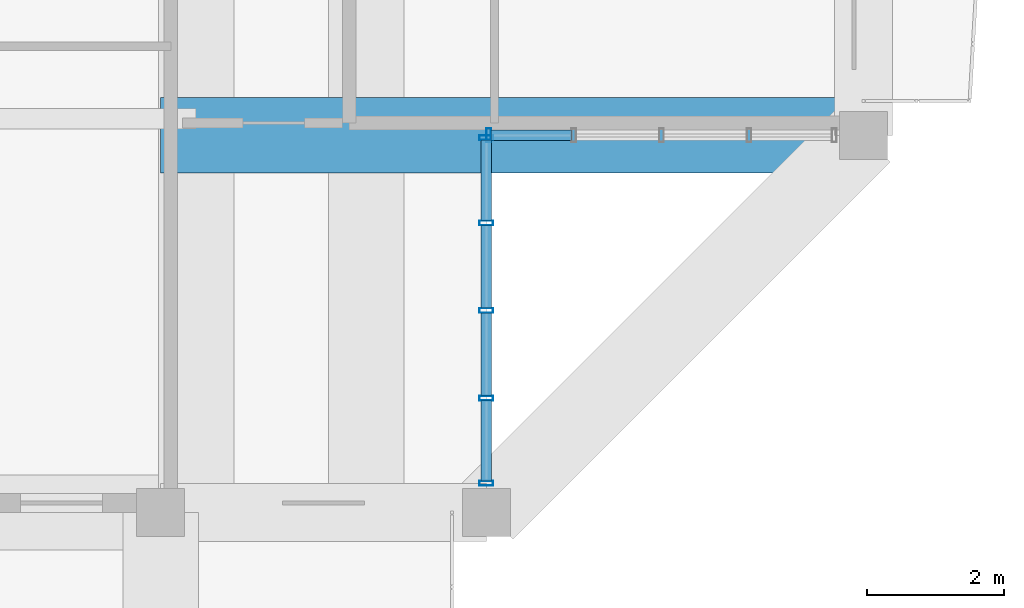
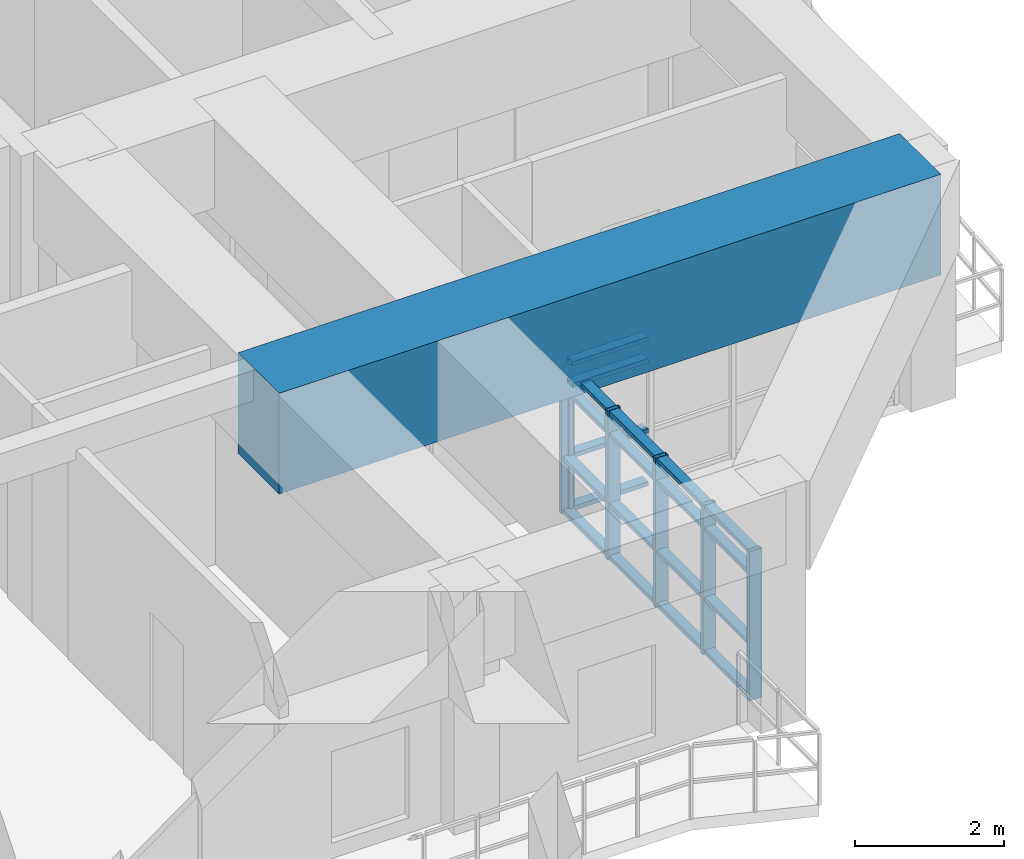
# One storey, part 4 of 27: 26 members, 1 beam, 2 elements without a shape of their own.
"""IFC4 building model written with IfcOpenShell, lengths in metres."""

from ifc_helpers import new_model, si_unit, direction, frame, origin, origin_2d, place, context, subcontext, project, spatial, rectangle, hollow_rectangle, extrude, source, transform, mapped, material, layer, layer_set, material_profile, profile_set, type_object, element, aggregate, save


model = new_model("IFC4")

# Units and contexts
model_context = context("Model", 3, precision=1e-05, world=origin(), true_north=direction((0.0, 1.0)))
body_context = subcontext(model_context, "Body", "Model", "MODEL_VIEW")
ifc_project = project(units=[si_unit("LENGTHUNIT", "METRE"), si_unit("AREAUNIT", "SQUARE_METRE"), si_unit("VOLUMEUNIT", "CUBIC_METRE"), si_unit("PLANEANGLEUNIT", "RADIAN"), si_unit("MASSUNIT", "GRAM", prefix="KILO")], contexts=[model_context])

# Site, building, storey
site_placement = place(None, origin())
site = spatial("IfcSite", under=ifc_project, at=site_placement, CompositionType="ELEMENT")
building_placement = place(site_placement, origin())
building = spatial("IfcBuilding", under=site, at=building_placement, Name="Saelheon Loggia Tower", CompositionType="ELEMENT")
storey_placement = place(building_placement, frame((0.0, 0.0, 236.10009765625)))
storey = spatial("IfcBuildingStorey", under=building, at=storey_placement, Name="L73", CompositionType="ELEMENT", Elevation=236.10009765625)

# Beam
ifc_material_1 = material(Name="Concrete C50/60", Category="concrete")
ifc_material_profile_1 = material_profile(ifc_material_1, rectangle(XDim=1.10009765625, YDim=1.64990234375, at=origin_2d()), Name="RC-1100x1650")
ifc_profile_set_1 = profile_set([ifc_material_profile_1], Name="Concrete C50/60")
beam_type = type_object("IfcBeamType", Name="Beam_MegaTransfer_RC1100x1650", PredefinedType="BEAM", material=ifc_profile_set_1)
shared_shape_1 = source(origin(), body_context, "Body", "SweptSolid", [
    extrude(rectangle(XDim=1.10009765625, YDim=1.64990234375, at=origin_2d()), origin(), (0.0, 0.0, 1.0), 10.25),
])
beam_placement = place(storey_placement, frame((44.5, 11.5, 3.074951171875), z_axis=(1.0, 0.0, 0.0), x_axis=(0.0, 1.0, 0.0)))
element("IfcBeam", 1, at=beam_placement, inside=storey, type_object=beam_type, Name="TG-L73-SH-SE", PredefinedType="BEAM", context=body_context, shape_type="MappedRepresentation", body=[
    mapped(shared_shape_1, transform((0.0, 0.0, 0.0), scale=1.0)),
])

# Curtain wall, members
ifc_material_2 = material(Name="High-Wind Aluminium and Triple Laminated Glass", Category="aluminium")
ifc_layer = layer(ifc_material_2, 0.179931640625)
ifc_layer_set = layer_set([ifc_layer], Name="High-Wind Aluminium and Triple Laminated Glass")
curtain_wall_type = type_object("IfcCurtainWallType", Name="CW_TowerLoggiaHigh", PredefinedType="NOTDEFINED", material=ifc_layer_set)
curtain_wall_1_placement = place(storey_placement, origin())
curtain_wall_1 = element("IfcCurtainWall", 2, at=curtain_wall_1_placement, inside=storey, type_object=curtain_wall_type, Name="L73 Corner Notch Glazing SE1", PredefinedType="NOTDEFINED")
ifc_material_3 = material(Name="Anodised Aluminium 6063-T6", Category="aluminium")
ifc_material_profile_2 = material_profile(ifc_material_3, hollow_rectangle(XDim=0.070068359375, YDim=0.199951171875, WallThickness=0.0048828125, at=origin_2d()), Name="RHS-200x70x5")
ifc_profile_set_2 = profile_set([ifc_material_profile_2], Name="Anodised Aluminium 6063-T6")
member_type_1 = type_object("IfcMemberType", Name="CW_TowerLoggiaHigh_Mullion", PredefinedType="MULLION", material=ifc_profile_set_2)
shared_shape_2 = source(origin(), body_context, "Body", "SweptSolid", [
    extrude(hollow_rectangle(XDim=0.070068359375, YDim=0.199951171875, WallThickness=0.0048828125, at=origin_2d()), origin(), (0.0, 0.0, 1.0), 2.43994140625),
])
member_1_placement = place(storey_placement, frame((49.25, 6.425048828125, 0.0), z_axis=(0.0, 0.0, 1.0), x_axis=(0.0, 1.0, 0.0)))
member_1 = element("IfcMember", 3, at=member_1_placement, type_object=member_type_1, Name="CW4 mullion 1", PredefinedType="MULLION", context=body_context, shape_type="MappedRepresentation", body=[
    mapped(shared_shape_2, transform((0.0, 0.0, 0.0), scale=1.0)),
])
member_2_placement = place(storey_placement, frame((49.25, 7.66748046875, 0.0), z_axis=(0.0, 0.0, 1.0), x_axis=(0.0, 1.0, 0.0)))
member_2 = element("IfcMember", 4, at=member_2_placement, type_object=member_type_1, Name="CW4 mullion 2", PredefinedType="MULLION", context=body_context, shape_type="MappedRepresentation", body=[
    mapped(shared_shape_2, transform((0.0, 0.0, 0.0), scale=1.0)),
])
member_3_placement = place(storey_placement, frame((49.25, 8.945068359375, 0.0), z_axis=(0.0, 0.0, 1.0), x_axis=(0.0, 1.0, 0.0)))
member_3 = element("IfcMember", 5, at=member_3_placement, type_object=member_type_1, Name="CW4 mullion 3", PredefinedType="MULLION", context=body_context, shape_type="MappedRepresentation", body=[
    mapped(shared_shape_2, transform((0.0, 0.0, 0.0), scale=1.0)),
])
member_4_placement = place(storey_placement, frame((49.25, 10.222412109375, 0.0), z_axis=(0.0, 0.0, 1.0), x_axis=(0.0, 1.0, 0.0)))
member_4 = element("IfcMember", 6, at=member_4_placement, type_object=member_type_1, Name="CW4 mullion 4", PredefinedType="MULLION", context=body_context, shape_type="MappedRepresentation", body=[
    mapped(shared_shape_2, transform((0.0, 0.0, 0.0), scale=1.0)),
])
member_5_placement = place(storey_placement, frame((49.25, 11.465087890625, 0.0), z_axis=(0.0, 0.0, 1.0), x_axis=(0.0, 1.0, 0.0)))
member_5 = element("IfcMember", 7, at=member_5_placement, type_object=member_type_1, Name="CW4 mullion 5", PredefinedType="MULLION", context=body_context, shape_type="MappedRepresentation", body=[
    mapped(shared_shape_2, transform((0.0, 0.0, 0.0), scale=1.0)),
])

# Curtain wall, member
curtain_wall_2_placement = place(storey_placement, origin())
curtain_wall_2 = element("IfcCurtainWall", 8, at=curtain_wall_2_placement, inside=storey, type_object=curtain_wall_type, Name="L73 Corner Notch Glazing SE2", PredefinedType="NOTDEFINED")
member_6_placement = place(storey_placement, frame((49.284912109375, 11.5, 0.0), z_axis=(0.0, 0.0, 1.0), x_axis=(1.0, 0.0, 0.0)))
member_6 = element("IfcMember", 9, at=member_6_placement, type_object=member_type_1, Name="CW4 mullion 1", PredefinedType="MULLION", context=body_context, shape_type="MappedRepresentation", body=[
    mapped(shared_shape_2, transform((0.0, 0.0, 0.0), scale=1.0)),
])

# Member
ifc_material_profile_3 = material_profile(ifc_material_3, hollow_rectangle(XDim=0.070068359375, YDim=0.14990234375, WallThickness=0.0048828125, at=origin_2d()), Name="RHS-150x70x5")
ifc_profile_set_3 = profile_set([ifc_material_profile_3], Name="Anodised Aluminium 6063-T6")
member_type_2 = type_object("IfcMemberType", Name="CW_TowerLoggiaHigh_Transom", PredefinedType="USERDEFINED", material=ifc_profile_set_3)
shared_shape_3 = source(origin(), body_context, "Body", "SweptSolid", [
    extrude(hollow_rectangle(XDim=0.070068359375, YDim=0.14990234375, WallThickness=0.0048828125, at=origin_2d()), origin(), (0.0, 0.0, 1.0), 1.172607421875),
])
member_7_placement = place(storey_placement, frame((49.25, 6.4599609375, 0.034912109375), z_axis=(0.0, 1.0, 0.0), x_axis=(0.0, 0.0, 1.0)))
member_7 = element("IfcMember", 10, at=member_7_placement, type_object=member_type_2, Name="CW4 transom 1.1", ObjectType="TRANSOM", PredefinedType="USERDEFINED", context=body_context, shape_type="MappedRepresentation", body=[
    mapped(shared_shape_3, transform((0.0, 0.0, 0.0), scale=1.0)),
])

member_8_placement = place(storey_placement, frame((49.25, 6.4599609375, 0.89990234375), z_axis=(0.0, 1.0, 0.0), x_axis=(0.0, 0.0, 1.0)))
member_8 = element("IfcMember", 11, at=member_8_placement, type_object=member_type_2, Name="CW4 transom 1.2", ObjectType="TRANSOM", PredefinedType="USERDEFINED", context=body_context, shape_type="MappedRepresentation", body=[
    mapped(shared_shape_3, transform((0.0, 0.0, 0.0), scale=1.0)),
])

member_9_placement = place(storey_placement, frame((49.25, 6.4599609375, 2.0498046875), z_axis=(0.0, 1.0, 0.0), x_axis=(0.0, 0.0, 1.0)))
member_9 = element("IfcMember", 12, at=member_9_placement, type_object=member_type_2, Name="CW4 transom 1.3", ObjectType="TRANSOM", PredefinedType="USERDEFINED", context=body_context, shape_type="MappedRepresentation", body=[
    mapped(shared_shape_3, transform((0.0, 0.0, 0.0), scale=1.0)),
])

member_10_placement = place(storey_placement, frame((49.25, 6.4599609375, 2.40478515625), z_axis=(0.0, 1.0, 0.0), x_axis=(0.0, 0.0, 1.0)))
member_10 = element("IfcMember", 13, at=member_10_placement, type_object=member_type_2, Name="CW4 transom 1.4", ObjectType="TRANSOM", PredefinedType="USERDEFINED", context=body_context, shape_type="MappedRepresentation", body=[
    mapped(shared_shape_3, transform((0.0, 0.0, 0.0), scale=1.0)),
])

shared_shape_4 = source(origin(), body_context, "Body", "SweptSolid", [
    extrude(hollow_rectangle(XDim=0.070068359375, YDim=0.14990234375, WallThickness=0.0048828125, at=origin_2d()), origin(), (0.0, 0.0, 1.0), 1.20751953125),
])
member_11_placement = place(storey_placement, frame((49.25, 7.702392578125, 0.034912109375), z_axis=(0.0, 1.0, 0.0), x_axis=(0.0, 0.0, 1.0)))
member_11 = element("IfcMember", 14, at=member_11_placement, type_object=member_type_2, Name="CW4 transom 2.1", ObjectType="TRANSOM", PredefinedType="USERDEFINED", context=body_context, shape_type="MappedRepresentation", body=[
    mapped(shared_shape_4, transform((0.0, 0.0, 0.0), scale=1.0)),
])

member_12_placement = place(storey_placement, frame((49.25, 7.702392578125, 0.89990234375), z_axis=(0.0, 1.0, 0.0), x_axis=(0.0, 0.0, 1.0)))
member_12 = element("IfcMember", 15, at=member_12_placement, type_object=member_type_2, Name="CW4 transom 2.2", ObjectType="TRANSOM", PredefinedType="USERDEFINED", context=body_context, shape_type="MappedRepresentation", body=[
    mapped(shared_shape_4, transform((0.0, 0.0, 0.0), scale=1.0)),
])

member_13_placement = place(storey_placement, frame((49.25, 7.702392578125, 2.0498046875), z_axis=(0.0, 1.0, 0.0), x_axis=(0.0, 0.0, 1.0)))
member_13 = element("IfcMember", 16, at=member_13_placement, type_object=member_type_2, Name="CW4 transom 2.3", ObjectType="TRANSOM", PredefinedType="USERDEFINED", context=body_context, shape_type="MappedRepresentation", body=[
    mapped(shared_shape_4, transform((0.0, 0.0, 0.0), scale=1.0)),
])

member_14_placement = place(storey_placement, frame((49.25, 7.702392578125, 2.40478515625), z_axis=(0.0, 1.0, 0.0), x_axis=(0.0, 0.0, 1.0)))
member_14 = element("IfcMember", 17, at=member_14_placement, type_object=member_type_2, Name="CW4 transom 2.4", ObjectType="TRANSOM", PredefinedType="USERDEFINED", context=body_context, shape_type="MappedRepresentation", body=[
    mapped(shared_shape_4, transform((0.0, 0.0, 0.0), scale=1.0)),
])

member_15_placement = place(storey_placement, frame((49.25, 8.97998046875, 0.034912109375), z_axis=(0.0, 1.0, 0.0), x_axis=(0.0, 0.0, 1.0)))
member_15 = element("IfcMember", 18, at=member_15_placement, type_object=member_type_2, Name="CW4 transom 3.1", ObjectType="TRANSOM", PredefinedType="USERDEFINED", context=body_context, shape_type="MappedRepresentation", body=[
    mapped(shared_shape_4, transform((0.0, 0.0, 0.0), scale=1.0)),
])

member_16_placement = place(storey_placement, frame((49.25, 8.97998046875, 0.89990234375), z_axis=(0.0, 1.0, 0.0), x_axis=(0.0, 0.0, 1.0)))
member_16 = element("IfcMember", 19, at=member_16_placement, type_object=member_type_2, Name="CW4 transom 3.2", ObjectType="TRANSOM", PredefinedType="USERDEFINED", context=body_context, shape_type="MappedRepresentation", body=[
    mapped(shared_shape_4, transform((0.0, 0.0, 0.0), scale=1.0)),
])

member_17_placement = place(storey_placement, frame((49.25, 8.97998046875, 2.0498046875), z_axis=(0.0, 1.0, 0.0), x_axis=(0.0, 0.0, 1.0)))
member_17 = element("IfcMember", 20, at=member_17_placement, type_object=member_type_2, Name="CW4 transom 3.3", ObjectType="TRANSOM", PredefinedType="USERDEFINED", context=body_context, shape_type="MappedRepresentation", body=[
    mapped(shared_shape_4, transform((0.0, 0.0, 0.0), scale=1.0)),
])

member_18_placement = place(storey_placement, frame((49.25, 8.97998046875, 2.40478515625), z_axis=(0.0, 1.0, 0.0), x_axis=(0.0, 0.0, 1.0)))
member_18 = element("IfcMember", 21, at=member_18_placement, type_object=member_type_2, Name="CW4 transom 3.4", ObjectType="TRANSOM", PredefinedType="USERDEFINED", context=body_context, shape_type="MappedRepresentation", body=[
    mapped(shared_shape_4, transform((0.0, 0.0, 0.0), scale=1.0)),
])

shared_shape_5 = source(origin(), body_context, "Body", "SweptSolid", [
    extrude(hollow_rectangle(XDim=0.070068359375, YDim=0.14990234375, WallThickness=0.0048828125, at=origin_2d()), origin(), (0.0, 0.0, 1.0), 1.17236328125),
])
member_19_placement = place(storey_placement, frame((49.25, 10.257568359375, 0.034912109375), z_axis=(0.0, 1.0, 0.0), x_axis=(0.0, 0.0, 1.0)))
member_19 = element("IfcMember", 22, at=member_19_placement, type_object=member_type_2, Name="CW4 transom 4.1", ObjectType="TRANSOM", PredefinedType="USERDEFINED", context=body_context, shape_type="MappedRepresentation", body=[
    mapped(shared_shape_5, transform((0.0, 0.0, 0.0), scale=1.0)),
])

member_20_placement = place(storey_placement, frame((49.25, 10.257568359375, 0.89990234375), z_axis=(0.0, 1.0, 0.0), x_axis=(0.0, 0.0, 1.0)))
member_20 = element("IfcMember", 23, at=member_20_placement, type_object=member_type_2, Name="CW4 transom 4.2", ObjectType="TRANSOM", PredefinedType="USERDEFINED", context=body_context, shape_type="MappedRepresentation", body=[
    mapped(shared_shape_5, transform((0.0, 0.0, 0.0), scale=1.0)),
])

member_21_placement = place(storey_placement, frame((49.25, 10.257568359375, 2.0498046875), z_axis=(0.0, 1.0, 0.0), x_axis=(0.0, 0.0, 1.0)))
member_21 = element("IfcMember", 24, at=member_21_placement, type_object=member_type_2, Name="CW4 transom 4.3", ObjectType="TRANSOM", PredefinedType="USERDEFINED", context=body_context, shape_type="MappedRepresentation", body=[
    mapped(shared_shape_5, transform((0.0, 0.0, 0.0), scale=1.0)),
])

member_22_placement = place(storey_placement, frame((49.25, 10.257568359375, 2.40478515625), z_axis=(0.0, 1.0, 0.0), x_axis=(0.0, 0.0, 1.0)))
member_22 = element("IfcMember", 25, at=member_22_placement, type_object=member_type_2, Name="CW4 transom 4.4", ObjectType="TRANSOM", PredefinedType="USERDEFINED", context=body_context, shape_type="MappedRepresentation", body=[
    mapped(shared_shape_5, transform((0.0, 0.0, 0.0), scale=1.0)),
])

aggregate(curtain_wall_1, [member_1, member_2, member_3, member_4, member_5, member_7, member_8, member_9, member_10, member_11, member_12, member_13, member_14, member_15, member_16, member_17, member_18, member_19, member_20, member_21, member_22])

member_23_placement = place(storey_placement, frame((49.320068359375, 11.5, 0.034912109375), z_axis=(1.0, 0.0, 0.0), x_axis=(0.0, 0.0, 1.0)))
member_23 = element("IfcMember", 26, at=member_23_placement, type_object=member_type_2, Name="CW4 transom 1.1", ObjectType="TRANSOM", PredefinedType="USERDEFINED", context=body_context, shape_type="MappedRepresentation", body=[
    mapped(shared_shape_5, transform((0.0, 0.0, 0.0), scale=1.0)),
])

member_24_placement = place(storey_placement, frame((49.320068359375, 11.5, 0.89990234375), z_axis=(1.0, 0.0, 0.0), x_axis=(0.0, 0.0, 1.0)))
member_24 = element("IfcMember", 27, at=member_24_placement, type_object=member_type_2, Name="CW4 transom 1.2", ObjectType="TRANSOM", PredefinedType="USERDEFINED", context=body_context, shape_type="MappedRepresentation", body=[
    mapped(shared_shape_5, transform((0.0, 0.0, 0.0), scale=1.0)),
])

member_25_placement = place(storey_placement, frame((49.320068359375, 11.5, 2.0498046875), z_axis=(1.0, 0.0, 0.0), x_axis=(0.0, 0.0, 1.0)))
member_25 = element("IfcMember", 28, at=member_25_placement, type_object=member_type_2, Name="CW4 transom 1.3", ObjectType="TRANSOM", PredefinedType="USERDEFINED", context=body_context, shape_type="MappedRepresentation", body=[
    mapped(shared_shape_5, transform((0.0, 0.0, 0.0), scale=1.0)),
])

member_26_placement = place(storey_placement, frame((49.320068359375, 11.5, 2.40478515625), z_axis=(1.0, 0.0, 0.0), x_axis=(0.0, 0.0, 1.0)))
member_26 = element("IfcMember", 29, at=member_26_placement, type_object=member_type_2, Name="CW4 transom 1.4", ObjectType="TRANSOM", PredefinedType="USERDEFINED", context=body_context, shape_type="MappedRepresentation", body=[
    mapped(shared_shape_5, transform((0.0, 0.0, 0.0), scale=1.0)),
])

aggregate(curtain_wall_2, [member_6, member_23, member_24, member_25, member_26])

save(model, "model.ifc")
